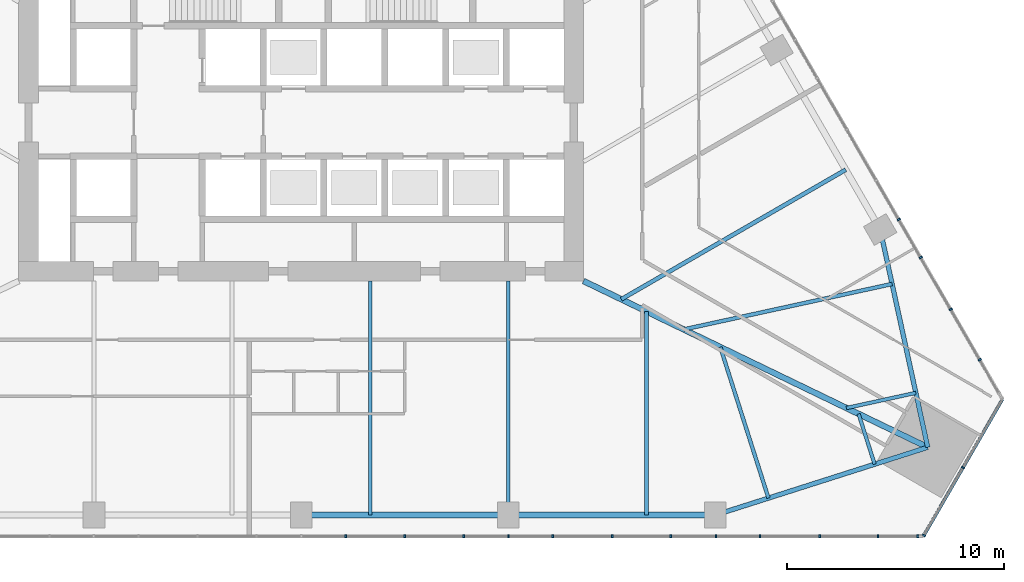
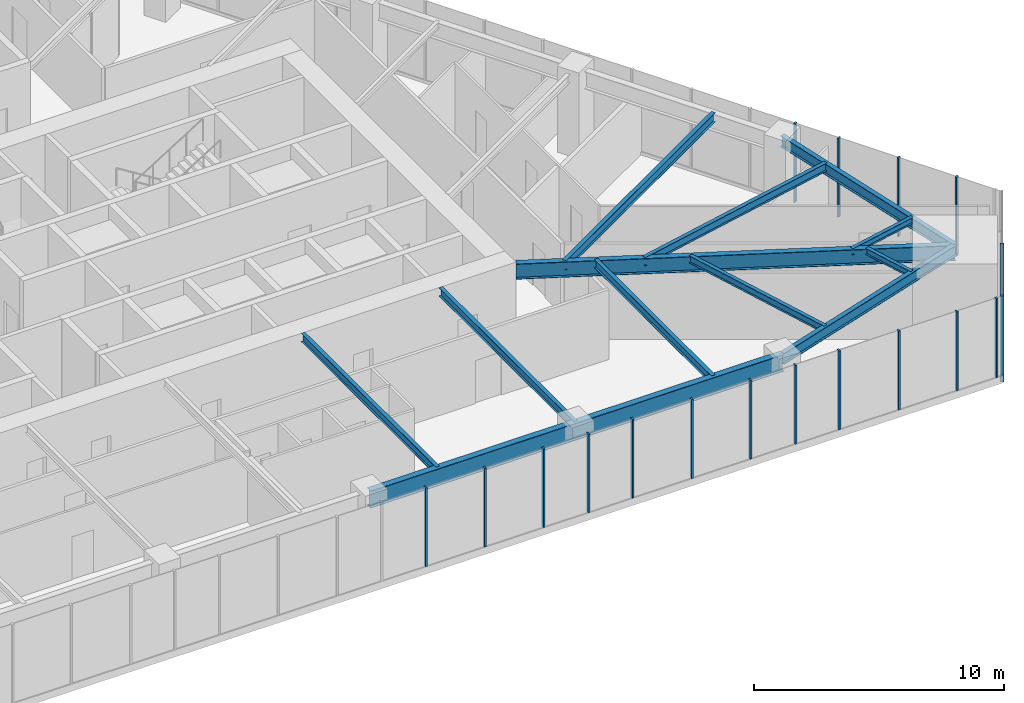
# One storey, part 7 of 26: 19 members, 12 beams, 3 elements without a shape of their own.
"""IFC4 building model written with IfcOpenShell, lengths in metres."""

from ifc_helpers import new_model, si_unit, direction, frame, origin, origin_2d, place, context, subcontext, project, spatial, rectangle, i_section, extrude, material, layer, layer_set, material_profile, profile_set, type_object, element, aggregate, save


model = new_model("IFC4")

# Units and contexts
model_context = context("Model", 3, precision=1e-05, world=origin(), true_north=direction((0.0, 1.0)))
body_context = subcontext(model_context, "Body", "Model", "MODEL_VIEW")
ifc_project = project(units=[si_unit("LENGTHUNIT", "METRE"), si_unit("AREAUNIT", "SQUARE_METRE"), si_unit("VOLUMEUNIT", "CUBIC_METRE"), si_unit("PLANEANGLEUNIT", "RADIAN"), si_unit("MASSUNIT", "GRAM", prefix="KILO")], contexts=[model_context])

# Site, building, storey
site_placement = place(None, origin())
site = spatial("IfcSite", under=ifc_project, at=site_placement, CompositionType="ELEMENT")
building_placement = place(site_placement, origin())
building = spatial("IfcBuilding", under=site, at=building_placement, Name="Firuza Gate Tower and Library", CompositionType="ELEMENT")
storey_placement = place(building_placement, frame((0.0, 0.0, 65.199951171875)))
storey = spatial("IfcBuildingStorey", under=building, at=storey_placement, Name="L14", CompositionType="ELEMENT", Elevation=65.199951171875)

# Curtain wall, members
ifc_material_1 = material(Name="Aluminium 6063-T6", Category="aluminium")
ifc_layer_1 = layer(ifc_material_1, 0.14990234375)
ifc_layer_set_1 = layer_set([ifc_layer_1], Name="Unitised curtain wall, offices")
curtain_wall_type_1 = type_object("IfcCurtainWallType", Name="Unitised curtain wall, offices", PredefinedType="NOTDEFINED", material=ifc_layer_set_1)
placement = place(storey_placement, origin())
curtain_wall_1 = element("IfcCurtainWall", 1, at=placement, inside=storey, type_object=curtain_wall_type_1, Name="CW1 L14 S face", PredefinedType="NOTDEFINED")
ifc_material_2 = material(Name="Aluminium 6063-T6", Category="aluminium")
ifc_material_profile_1 = material_profile(ifc_material_2, rectangle(XDim=0.14990234375, YDim=0.080078125, at=origin_2d()))
ifc_profile_set_1 = profile_set([ifc_material_profile_1], Name="Aluminium 6063-T6")
member_type_1 = type_object("IfcMemberType", Name="Curtain wall mullion 80x150", PredefinedType="MULLION", material=ifc_profile_set_1)
member_1_placement = place(storey_placement, frame((79.7744140625, 54.25390625, 0.150146484375), z_axis=(0.0, 0.0, 1.0), x_axis=(0.0, 1.0, 0.0)))
member_1 = element("IfcMember", 2, at=member_1_placement, type_object=member_type_1, Name="Mullion", PredefinedType="MULLION", context=body_context, shape_type="SweptSolid", body=[
    extrude(rectangle(XDim=0.14990234375, YDim=0.080078125, at=origin_2d()), origin(), (0.0, 0.0, 1.0), 3.849853515625),
])
member_2_placement = place(storey_placement, frame((84.548828125, 54.25390625, 0.150146484375), z_axis=(0.0, 0.0, 1.0), x_axis=(0.0, 1.0, 0.0)))
member_2 = element("IfcMember", 3, at=member_2_placement, type_object=member_type_1, Name="Mullion", PredefinedType="MULLION", context=body_context, shape_type="SweptSolid", body=[
    extrude(rectangle(XDim=0.14990234375, YDim=0.080078125, at=origin_2d()), origin(), (0.0, 0.0, 1.0), 3.849853515625),
])
member_3_placement = place(storey_placement, frame((89.3232421875, 54.25390625, 0.150146484375), z_axis=(0.0, 0.0, 1.0), x_axis=(0.0, 1.0, 0.0)))
member_3 = element("IfcMember", 4, at=member_3_placement, type_object=member_type_1, Name="Mullion", PredefinedType="MULLION", context=body_context, shape_type="SweptSolid", body=[
    extrude(rectangle(XDim=0.14990234375, YDim=0.080078125, at=origin_2d()), origin(), (0.0, 0.0, 1.0), 3.849853515625),
])
member_4_placement = place(storey_placement, frame((94.097900390625, 54.25390625, 0.150146484375), z_axis=(0.0, 0.0, 1.0), x_axis=(0.0, 1.0, 0.0)))
member_4 = element("IfcMember", 5, at=member_4_placement, type_object=member_type_1, Name="Mullion", PredefinedType="MULLION", context=body_context, shape_type="SweptSolid", body=[
    extrude(rectangle(XDim=0.14990234375, YDim=0.080078125, at=origin_2d()), origin(), (0.0, 0.0, 1.0), 3.849853515625),
])
member_5_placement = place(storey_placement, frame((98.872314453125, 54.25390625, 0.150146484375), z_axis=(0.0, 0.0, 1.0), x_axis=(0.0, 1.0, 0.0)))
member_5 = element("IfcMember", 6, at=member_5_placement, type_object=member_type_1, Name="Mullion", PredefinedType="MULLION", context=body_context, shape_type="SweptSolid", body=[
    extrude(rectangle(XDim=0.14990234375, YDim=0.080078125, at=origin_2d()), origin(), (0.0, 0.0, 1.0), 3.849853515625),
])
member_6_placement = place(storey_placement, frame((77.0498046875, 54.25390625, 0.150146484375), z_axis=(0.0, 0.0, 1.0), x_axis=(0.0, 1.0, 0.0)))
member_6 = element("IfcMember", 7, at=member_6_placement, type_object=member_type_1, Name="Mullion", PredefinedType="MULLION", context=body_context, shape_type="SweptSolid", body=[
    extrude(rectangle(XDim=0.14990234375, YDim=0.080078125, at=origin_2d()), origin(), (0.0, 0.0, 1.0), 3.849853515625),
])
member_7_placement = place(storey_placement, frame((82.48486328125, 54.25390625, 0.150146484375), z_axis=(0.0, 0.0, 1.0), x_axis=(0.0, 1.0, 0.0)))
member_7 = element("IfcMember", 8, at=member_7_placement, type_object=member_type_1, Name="Mullion", PredefinedType="MULLION", context=body_context, shape_type="SweptSolid", body=[
    extrude(rectangle(XDim=0.14990234375, YDim=0.080078125, at=origin_2d()), origin(), (0.0, 0.0, 1.0), 3.849853515625),
])
member_8_placement = place(storey_placement, frame((86.584228515625, 54.25390625, 0.150146484375), z_axis=(0.0, 0.0, 1.0), x_axis=(0.0, 1.0, 0.0)))
member_8 = element("IfcMember", 9, at=member_8_placement, type_object=member_type_1, Name="Mullion", PredefinedType="MULLION", context=body_context, shape_type="SweptSolid", body=[
    extrude(rectangle(XDim=0.14990234375, YDim=0.080078125, at=origin_2d()), origin(), (0.0, 0.0, 1.0), 3.849853515625),
])
member_9_placement = place(storey_placement, frame((92.019287109375, 54.25390625, 0.150146484375), z_axis=(0.0, 0.0, 1.0), x_axis=(0.0, 1.0, 0.0)))
member_9 = element("IfcMember", 10, at=member_9_placement, type_object=member_type_1, Name="Mullion", PredefinedType="MULLION", context=body_context, shape_type="SweptSolid", body=[
    extrude(rectangle(XDim=0.14990234375, YDim=0.080078125, at=origin_2d()), origin(), (0.0, 0.0, 1.0), 3.849853515625),
])
member_10_placement = place(storey_placement, frame((96.11865234375, 54.25390625, 0.150146484375), z_axis=(0.0, 0.0, 1.0), x_axis=(0.0, 1.0, 0.0)))
member_10 = element("IfcMember", 11, at=member_10_placement, type_object=member_type_1, Name="Mullion", PredefinedType="MULLION", context=body_context, shape_type="SweptSolid", body=[
    extrude(rectangle(XDim=0.14990234375, YDim=0.080078125, at=origin_2d()), origin(), (0.0, 0.0, 1.0), 3.849853515625),
])
member_11_placement = place(storey_placement, frame((101.5537109375, 54.25390625, 0.150146484375), z_axis=(0.0, 0.0, 1.0), x_axis=(0.0, 1.0, 0.0)))
member_11 = element("IfcMember", 12, at=member_11_placement, type_object=member_type_1, Name="Mullion", PredefinedType="MULLION", context=body_context, shape_type="SweptSolid", body=[
    extrude(rectangle(XDim=0.14990234375, YDim=0.080078125, at=origin_2d()), origin(), (0.0, 0.0, 1.0), 3.849853515625),
])
member_12_placement = place(storey_placement, frame((103.380615234375, 54.25390625, 0.150146484375), z_axis=(0.0, 0.0, 1.0), x_axis=(0.0, 1.0, 0.0)))
member_12 = element("IfcMember", 13, at=member_12_placement, type_object=member_type_1, Name="Mullion", PredefinedType="MULLION", context=body_context, shape_type="SweptSolid", body=[
    extrude(rectangle(XDim=0.14990234375, YDim=0.080078125, at=origin_2d()), origin(), (0.0, 0.0, 1.0), 3.849853515625),
])
aggregate(curtain_wall_1, [member_1, member_2, member_3, member_4, member_5, member_6, member_7, member_8, member_9, member_10, member_11, member_12])

ifc_material_3 = material(Name="Aluminium 6063-T6", Category="aluminium")
ifc_layer_2 = layer(ifc_material_3, 0.14990234375)
ifc_layer_set_2 = layer_set([ifc_layer_2], Name="Corner curtain wall, chamfers")
curtain_wall_type_2 = type_object("IfcCurtainWallType", Name="Corner curtain wall, chamfers", PredefinedType="NOTDEFINED", material=ifc_layer_set_2)
curtain_wall_2 = element("IfcCurtainWall", 14, at=placement, inside=storey, type_object=curtain_wall_type_2, Name="CW4 L14 SE corner", PredefinedType="NOTDEFINED")
member_13_placement = place(storey_placement, frame((103.666748046875, 54.28857421875, 0.150146484375), z_axis=(0.0, 0.0, 1.0), x_axis=(-0.866025403784, 0.5, 0.0)))
member_13 = element("IfcMember", 15, at=member_13_placement, type_object=member_type_1, Name="Mullion", PredefinedType="MULLION", context=body_context, shape_type="SweptSolid", body=[
    extrude(rectangle(XDim=0.14990234375, YDim=0.080078125, at=origin_2d()), origin(), (0.0, 0.0, 1.0), 3.849853515625),
])
member_14_placement = place(storey_placement, frame((105.46826171875, 57.4091796875, 0.150146484375), z_axis=(0.0, 0.0, 1.0), x_axis=(-0.866025403784, 0.5, 0.0)))
member_14 = element("IfcMember", 16, at=member_14_placement, type_object=member_type_1, Name="Mullion", PredefinedType="MULLION", context=body_context, shape_type="SweptSolid", body=[
    extrude(rectangle(XDim=0.14990234375, YDim=0.080078125, at=origin_2d()), origin(), (0.0, 0.0, 1.0), 3.849853515625),
])

curtain_wall_3 = element("IfcCurtainWall", 17, at=placement, inside=storey, type_object=curtain_wall_type_1, Name="CW1 L14 E face", PredefinedType="NOTDEFINED")
member_15_placement = place(storey_placement, frame((104.90283203125, 64.698974609375, 0.150146484375), z_axis=(0.0, 0.0, 1.0), x_axis=(-0.866025403784, -0.5, 0.0)))
member_15 = element("IfcMember", 18, at=member_15_placement, type_object=member_type_1, Name="Mullion", PredefinedType="MULLION", context=body_context, shape_type="SweptSolid", body=[
    extrude(rectangle(XDim=0.14990234375, YDim=0.080078125, at=origin_2d()), origin(), (0.0, 0.0, 1.0), 3.849853515625),
])
member_16_placement = place(storey_placement, frame((102.515625, 68.833984375, 0.150146484375), z_axis=(0.0, 0.0, 1.0), x_axis=(-0.866025403784, -0.5, 0.0)))
member_16 = element("IfcMember", 19, at=member_16_placement, type_object=member_type_1, Name="Mullion", PredefinedType="MULLION", context=body_context, shape_type="SweptSolid", body=[
    extrude(rectangle(XDim=0.14990234375, YDim=0.080078125, at=origin_2d()), origin(), (0.0, 0.0, 1.0), 3.849853515625),
])
member_17_placement = place(storey_placement, frame((106.243408203125, 62.376953125, 0.150146484375), z_axis=(0.0, 0.0, 1.0), x_axis=(-0.866025403784, -0.5, 0.0)))
member_17 = element("IfcMember", 20, at=member_17_placement, type_object=member_type_1, Name="Mullion", PredefinedType="MULLION", context=body_context, shape_type="SweptSolid", body=[
    extrude(rectangle(XDim=0.14990234375, YDim=0.080078125, at=origin_2d()), origin(), (0.0, 0.0, 1.0), 3.849853515625),
])
member_18_placement = place(storey_placement, frame((103.52587890625, 67.083740234375, 0.150146484375), z_axis=(0.0, 0.0, 1.0), x_axis=(-0.866025403784, -0.5, 0.0)))
member_18 = element("IfcMember", 21, at=member_18_placement, type_object=member_type_1, Name="Mullion", PredefinedType="MULLION", context=body_context, shape_type="SweptSolid", body=[
    extrude(rectangle(XDim=0.14990234375, YDim=0.080078125, at=origin_2d()), origin(), (0.0, 0.0, 1.0), 3.849853515625),
])
aggregate(curtain_wall_3, [member_15, member_16, member_17, member_18])

# Member
ifc_material_4 = material(Name="Aluminium 6063-T6", Category="aluminium")
ifc_material_profile_2 = material_profile(ifc_material_4, rectangle(XDim=0.14990234375, YDim=0.35009765625, at=origin_2d()))
ifc_profile_set_2 = profile_set([ifc_material_profile_2], Name="Aluminium 6063-T6")
member_type_2 = type_object("IfcMemberType", Name="Curtain wall transom 350x150", PredefinedType="USERDEFINED", material=ifc_profile_set_2)
member_19_placement = place(storey_placement, frame((103.646728515625, 54.25390625, -0.02490234375), z_axis=(0.500005719219, 0.866022101766, 0.0), x_axis=(-0.866022101766, 0.500005719219, 0.0)))
member_19 = element("IfcMember", 22, at=member_19_placement, type_object=member_type_2, Name="Transom", ObjectType="TRANSOM", PredefinedType="USERDEFINED", context=body_context, shape_type="SweptSolid", body=[
    extrude(rectangle(XDim=0.14990234375, YDim=0.35009765625, at=origin_2d()), origin(), (0.0, 0.0, 1.0), 7.28662109375),
])

aggregate(curtain_wall_2, [member_13, member_14, member_19])

# Beams
ifc_material_5 = material(Name="Steel S355", Category="steel")
ifc_material_profile_3 = material_profile(ifc_material_5, i_section(OverallWidth=0.1650390625, OverallDepth=0.31005859375, WebThickness=0.005859375, FlangeThickness=0.009765625, at=origin_2d()))
ifc_profile_set_3 = profile_set([ifc_material_profile_3], Name="Steel S355")
beam_type_1 = type_object("IfcBeamType", Name="W310x39 Floor beam", PredefinedType="JOIST", material=ifc_profile_set_3)
beam_1_placement = place(storey_placement, frame((101.400634765625, 57.567138671875, 3.844970703125), z_axis=(-0.303883149111, 0.952709311221, 0.0), x_axis=(-0.952709311221, -0.303883149111, 0.0)))
element("IfcBeam", 23, at=beam_1_placement, inside=storey, type_object=beam_type_1, Name="Floor beam L14 s31", PredefinedType="JOIST", context=body_context, shape_type="SweptSolid", body=[
    extrude(i_section(OverallWidth=0.1650390625, OverallDepth=0.31005859375, WebThickness=0.005859375, FlangeThickness=0.009765625, at=origin_2d()), origin(), (0.0, 0.0, 1.0), 2.431884765625),
])
beam_2_placement = place(storey_placement, frame((103.297607421875, 60.852783203125, 3.844970703125), z_axis=(-0.977001633278, -0.213231818855, 0.0), x_axis=(0.213231818855, -0.977001633278, 0.0)))
element("IfcBeam", 24, at=beam_2_placement, inside=storey, type_object=beam_type_1, Name="Floor beam L14 s40", PredefinedType="JOIST", context=body_context, shape_type="SweptSolid", body=[
    extrude(i_section(OverallWidth=0.1650390625, OverallDepth=0.31005859375, WebThickness=0.005859375, FlangeThickness=0.009765625, at=origin_2d()), origin(), (0.0, 0.0, 1.0), 3.272216796875),
])
ifc_material_6 = material(Name="Steel S355", Category="steel")
ifc_material_profile_4 = material_profile(ifc_material_6, i_section(OverallWidth=0.1708984375, OverallDepth=0.35498046875, WebThickness=0.007080078125, FlangeThickness=0.01171875, at=origin_2d()))
ifc_profile_set_4 = profile_set([ifc_material_profile_4], Name="Steel S355")
beam_type_2 = type_object("IfcBeamType", Name="W360x51 Floor beam", PredefinedType="JOIST", material=ifc_profile_set_4)
beam_3_placement = place(storey_placement, frame((96.5126953125, 56.00830078125, 3.822509765625), z_axis=(-0.303832087289, 0.952725596766, 0.0), x_axis=(-0.952725596766, -0.303832087289, 0.0)))
element("IfcBeam", 25, at=beam_3_placement, inside=storey, type_object=beam_type_2, Name="Floor beam L14 s30", PredefinedType="JOIST", context=body_context, shape_type="SweptSolid", body=[
    extrude(i_section(OverallWidth=0.1708984375, OverallDepth=0.35498046875, WebThickness=0.007080078125, FlangeThickness=0.01171875, at=origin_2d()), origin(), (0.0, 0.0, 1.0), 7.29541015625),
])
ifc_material_7 = material(Name="Steel S355", Category="steel")
ifc_material_profile_5 = material_profile(ifc_material_7, i_section(OverallWidth=0.177978515625, OverallDepth=0.406982421875, WebThickness=0.0078125, FlangeThickness=0.0126953125, at=origin_2d()))
ifc_profile_set_5 = profile_set([ifc_material_profile_5], Name="Steel S355")
beam_type_3 = type_object("IfcBeamType", Name="W410x60 Floor beam", PredefinedType="JOIST", material=ifc_profile_set_5)
for number, where, z_axis, x_axis, name in (
    (26, (78.17822265625, 55.22900390625, 3.796630859375), (0.0, 1.0, 0.0), (-1.0, 0.0, 0.0), "Floor beam L14 s23"),
    (27, (84.534423828125, 55.22900390625, 3.796630859375), (0.0, 1.0, 0.0), (-1.0, 0.0, 0.0), "Floor beam L14 s24"),
):
    element("IfcBeam", number, at=place(storey_placement, frame(where, z_axis=z_axis, x_axis=x_axis)), inside=storey, type_object=beam_type_3, Name=name, PredefinedType="JOIST", context=body_context, shape_type="SweptSolid", body=[
        extrude(i_section(OverallWidth=0.177978515625, OverallDepth=0.406982421875, WebThickness=0.0078125, FlangeThickness=0.0126953125, at=origin_2d()), origin(), (0.0, 0.0, 1.0), 10.77099609375),
    ])
beam_4_placement = place(storey_placement, frame((90.890869140625, 55.22900390625, 3.796630859375), z_axis=(0.0, 1.0, 0.0), x_axis=(-1.0, 0.0, 0.0)))
element("IfcBeam", 28, at=beam_4_placement, inside=storey, type_object=beam_type_3, Name="Floor beam L14 s25", PredefinedType="JOIST", context=body_context, shape_type="SweptSolid", body=[
    extrude(i_section(OverallWidth=0.177978515625, OverallDepth=0.406982421875, WebThickness=0.0078125, FlangeThickness=0.0126953125, at=origin_2d()), origin(), (0.0, 0.0, 1.0), 9.374755859375),
])
beam_5_placement = place(storey_placement, frame((102.20361328125, 65.865234375, 3.796630859375), z_axis=(-0.977001633278, -0.213231818855, 0.0), x_axis=(0.213231818855, -0.977001633278, 0.0)))
element("IfcBeam", 29, at=beam_5_placement, inside=storey, type_object=beam_type_3, Name="Floor beam L14 s41", PredefinedType="JOIST", context=body_context, shape_type="SweptSolid", body=[
    extrude(i_section(OverallWidth=0.177978515625, OverallDepth=0.406982421875, WebThickness=0.0078125, FlangeThickness=0.0126953125, at=origin_2d()), origin(), (0.0, 0.0, 1.0), 9.81689453125),
])
ifc_material_8 = material(Name="Steel S355", Category="steel")
ifc_material_profile_6 = material_profile(ifc_material_8, i_section(OverallWidth=0.18994140625, OverallDepth=0.45703125, WebThickness=0.009033203125, FlangeThickness=0.014404296875, at=origin_2d()))
ifc_profile_set_6 = profile_set([ifc_material_profile_6], Name="Steel S355")
beam_type_4 = type_object("IfcBeamType", Name="W460x74 Floor beam", PredefinedType="JOIST", material=ifc_profile_set_6)
beam_6_placement = place(storey_placement, frame((100.067626953125, 71.123779296875, 3.771484375), z_axis=(-0.866021283888, -0.500007135802, 0.0), x_axis=(0.500007135802, -0.866021283888, 0.0)))
element("IfcBeam", 30, at=beam_6_placement, inside=storey, type_object=beam_type_4, Name="Floor beam L14 s50", PredefinedType="JOIST", context=body_context, shape_type="SweptSolid", body=[
    extrude(i_section(OverallWidth=0.18994140625, OverallDepth=0.45703125, WebThickness=0.009033203125, FlangeThickness=0.014404296875, at=origin_2d()), origin(), (0.0, 0.0, 1.0), 11.927001953125),
])
ifc_material_9 = material(Name="Steel S355", Category="steel")
ifc_material_profile_7 = material_profile(ifc_material_9, i_section(OverallWidth=0.212890625, OverallDepth=0.5390625, WebThickness=0.01171875, FlangeThickness=0.018798828125, at=origin_2d()))
ifc_profile_set_7 = profile_set([ifc_material_profile_7], Name="Steel S355")
beam_type_5 = type_object("IfcBeamType", Name="W530x109 Edge beam", PredefinedType="SPANDREL", material=ifc_profile_set_7)
beam_7_placement = place(storey_placement, frame((94.06884765625, 55.22900390625, 3.73046875), z_axis=(0.952721510235, 0.303844901119, 0.0), x_axis=(-0.303844901119, 0.952721510235, 0.0)))
element("IfcBeam", 31, at=beam_7_placement, inside=storey, type_object=beam_type_5, Name="Edge beam L14 e30", PredefinedType="SPANDREL", context=body_context, shape_type="SweptSolid", body=[
    extrude(i_section(OverallWidth=0.212890625, OverallDepth=0.5390625, WebThickness=0.01171875, FlangeThickness=0.018798828125, at=origin_2d()), origin(), (0.0, 0.0, 1.0), 10.2607421875),
])
beam_8_placement = place(storey_placement, frame((103.844482421875, 58.3466796875, 3.73046875), z_axis=(-0.21321786896, 0.977004677756, 0.0), x_axis=(-0.977004677756, -0.21321786896, 0.0)))
element("IfcBeam", 32, at=beam_8_placement, inside=storey, type_object=beam_type_5, Name="Edge beam L14 e40", PredefinedType="SPANDREL", context=body_context, shape_type="SweptSolid", body=[
    extrude(i_section(OverallWidth=0.212890625, OverallDepth=0.5390625, WebThickness=0.01171875, FlangeThickness=0.018798828125, at=origin_2d()), origin(), (0.0, 0.0, 1.0), 10.260498046875),
])
ifc_material_10 = material(Name="Steel S355", Category="steel")
ifc_material_profile_8 = material_profile(ifc_material_10, i_section(OverallWidth=0.264892578125, OverallDepth=0.7529296875, WebThickness=0.01318359375, FlangeThickness=0.01708984375, at=origin_2d()))
ifc_profile_set_8 = profile_set([ifc_material_profile_8], Name="Steel S355")
beam_type_6 = type_object("IfcBeamType", Name="W760x147 Girder", PredefinedType="BEAM", material=ifc_profile_set_8)
beam_9_placement = place(storey_placement, frame((103.844482421875, 58.3466796875, 3.62353515625), z_axis=(-0.90045683322, 0.434945389109, 0.0), x_axis=(-0.434945389109, -0.90045683322, 0.0)))
element("IfcBeam", 33, at=beam_9_placement, inside=storey, type_object=beam_type_6, Name="Girder L14 gSE", PredefinedType="BEAM", context=body_context, shape_type="SweptSolid", body=[
    extrude(i_section(OverallWidth=0.264892578125, OverallDepth=0.7529296875, WebThickness=0.01318359375, FlangeThickness=0.01708984375, at=origin_2d()), origin(), (0.0, 0.0, 1.0), 17.595947265625),
])
ifc_material_11 = material(Name="Steel S355", Category="steel")
ifc_material_profile_9 = material_profile(ifc_material_11, i_section(OverallWidth=0.2919921875, OverallDepth=0.8349609375, WebThickness=0.013916015625, FlangeThickness=0.018798828125, at=origin_2d()))
ifc_profile_set_9 = profile_set([ifc_material_profile_9], Name="Steel S355")
beam_type_7 = type_object("IfcBeamType", Name="W840x176 Edge beam", PredefinedType="SPANDREL", material=ifc_profile_set_9)
beam_10_placement = place(storey_placement, frame((75.0, 55.22900390625, 3.58251953125), z_axis=(1.0, 0.0, 0.0), x_axis=(0.0, 1.0, 0.0)))
element("IfcBeam", 34, at=beam_10_placement, inside=storey, type_object=beam_type_7, Name="Edge beam L14 e22", PredefinedType="SPANDREL", context=body_context, shape_type="SweptSolid", body=[
    extrude(i_section(OverallWidth=0.2919921875, OverallDepth=0.8349609375, WebThickness=0.013916015625, FlangeThickness=0.018798828125, at=origin_2d()), origin(), (0.0, 0.0, 1.0), 19.06884765625),
])

save(model, "model.ifc")
